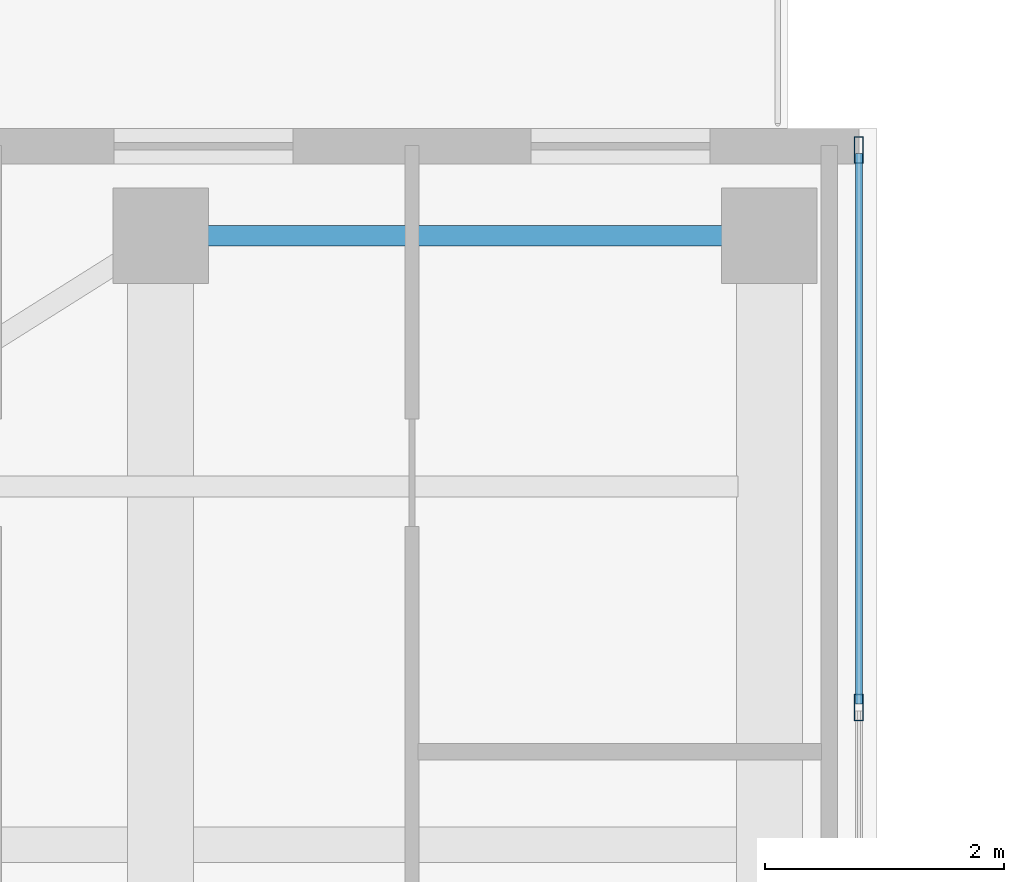
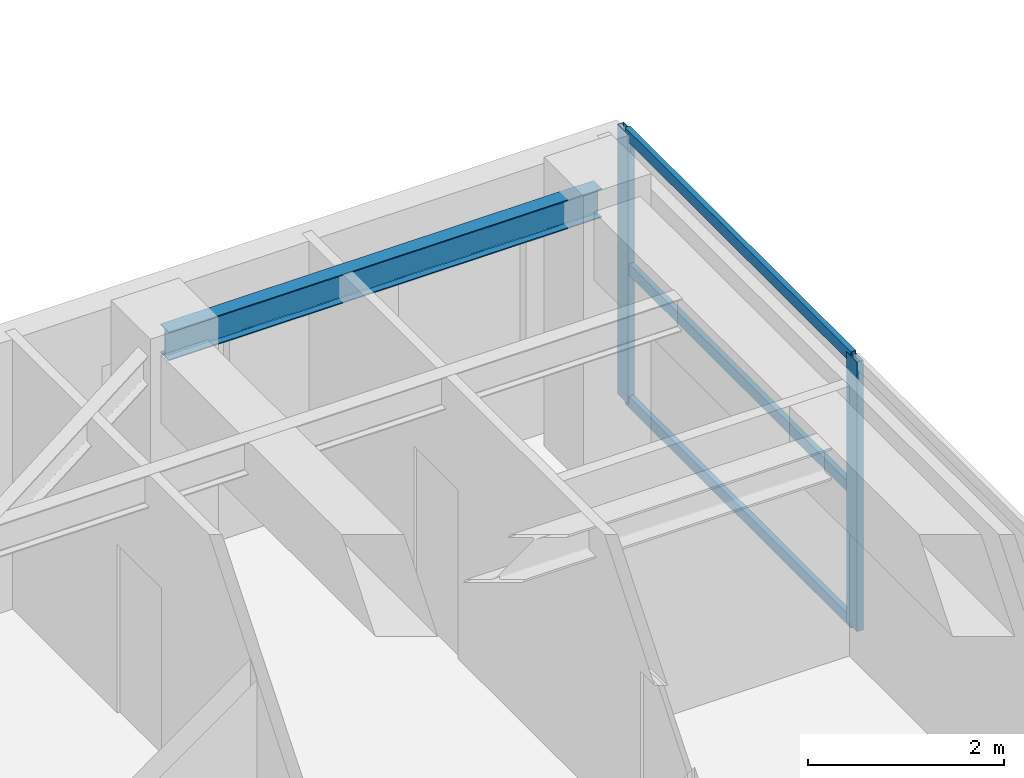
# One storey, part 14 of 22: 5 members, 1 beam, 1 element without a shape of its own.
"""IFC4 building model written with IfcOpenShell, lengths in metres."""

from ifc_helpers import new_model, si_unit, direction, frame, origin, origin_2d, place, context, subcontext, project, spatial, hollow_rectangle, i_section, extrude, source, transform, mapped, material, layer, layer_set, material_profile, profile_set, type_object, element, aggregate, save


model = new_model("IFC4")

# Units and contexts
model_context = context("Model", 3, precision=1e-05, world=origin(), true_north=direction((0.0, 1.0)))
body_context = subcontext(model_context, "Body", "Model", "MODEL_VIEW")
ifc_project = project(units=[si_unit("LENGTHUNIT", "METRE"), si_unit("AREAUNIT", "SQUARE_METRE"), si_unit("VOLUMEUNIT", "CUBIC_METRE"), si_unit("PLANEANGLEUNIT", "RADIAN"), si_unit("MASSUNIT", "GRAM", prefix="KILO")], contexts=[model_context])

# Site, building, storey
site_placement = place(None, origin())
site = spatial("IfcSite", under=ifc_project, at=site_placement, CompositionType="ELEMENT")
building_placement = place(site_placement, origin())
building = spatial("IfcBuilding", under=site, at=building_placement, Name="Khoralis Quay Care Tower", CompositionType="ELEMENT")
storey_placement = place(building_placement, frame((0.0, 0.0, 260.10009765625)))
storey = spatial("IfcBuildingStorey", under=building, at=storey_placement, Name="L68", CompositionType="ELEMENT", Elevation=260.10009765625)

# Beam
ifc_material_1 = material(Name="Steel S355", Category="steel")
ifc_material_profile_1 = material_profile(ifc_material_1, i_section(OverallWidth=0.169921875, OverallDepth=0.360107421875, WebThickness=0.008056640625, FlangeThickness=0.0126953125, FilletRadius=0.01806640625, at=origin_2d()), Name="Steel S355")
ifc_profile_set_1 = profile_set([ifc_material_profile_1], Name="Steel S355")
beam_type = type_object("IfcBeamType", Name="BM-IPE360", PredefinedType="SPANDREL", material=ifc_profile_set_1)
shared_shape_1 = source(origin(), body_context, "Body", "SweptSolid", [
    extrude(i_section(OverallWidth=0.169921875, OverallDepth=0.360107421875, WebThickness=0.008056640625, FlangeThickness=0.0126953125, FilletRadius=0.01806640625, at=origin_2d()), origin(), (0.0, 0.0, 1.0), 5.10009765625),
])
beam_placement = place(storey_placement, frame((12.0, 41.10009765625, 3.179931640625), z_axis=(1.0, 0.0, 0.0), x_axis=(0.0, 1.0, 0.0)))
element("IfcBeam", 1, at=beam_placement, inside=storey, type_object=beam_type, Name="BM-TSP-L68-03", PredefinedType="SPANDREL", context=body_context, shape_type="MappedRepresentation", body=[
    mapped(shared_shape_1, transform((0.0, 0.0, 0.0), scale=1.0)),
])

# Curtain wall, members
ifc_material_2 = material(Name="Pale anodised aluminium", Category="aluminium")
ifc_layer = layer(ifc_material_2, 0.18994140625)
ifc_layer_set = layer_set([ifc_layer], Name="Pale anodised aluminium")
curtain_wall_type = type_object("IfcCurtainWallType", Name="CW-SYS-PORTAL", PredefinedType="NOTDEFINED", material=ifc_layer_set)
curtain_wall_placement = place(storey_placement, origin())
curtain_wall = element("IfcCurtainWall", 2, at=curtain_wall_placement, inside=storey, type_object=curtain_wall_type, Name="L68 Unitised Curtain Wall CW-VP-L68-P1-N", PredefinedType="NOTDEFINED")
ifc_material_profile_2 = material_profile(ifc_material_2, hollow_rectangle(XDim=0.06005859375, YDim=0.139892578125, WallThickness=0.00390625, at=origin_2d()), Name="Pale anodised aluminium")
ifc_profile_set_2 = profile_set([ifc_material_profile_2], Name="Pale anodised aluminium")
member_type_1 = type_object("IfcMemberType", Name="CW-TRN-140", PredefinedType="USERDEFINED", material=ifc_profile_set_2)
shared_shape_2 = source(origin(), body_context, "Body", "SweptSolid", [
    extrude(hollow_rectangle(XDim=0.06005859375, YDim=0.139892578125, WallThickness=0.00390625, at=origin_2d()), origin(), (0.0, 0.0, 1.0), 4.610107421875),
])
member_1_placement = place(storey_placement, frame((17.85009765625, 37.179931640625, 0.02978515625), z_axis=(0.0, 1.0, 0.0), x_axis=(-1.0, 0.0, 0.0)))
member_1 = element("IfcMember", 3, at=member_1_placement, type_object=member_type_1, Name="CW4 transom 3.1", ObjectType="TRANSOM", PredefinedType="USERDEFINED", context=body_context, shape_type="MappedRepresentation", body=[
    mapped(shared_shape_2, transform((0.0, 0.0, 0.0), scale=1.0)),
])
member_2_placement = place(storey_placement, frame((17.85009765625, 37.179931640625, 1.679931640625), z_axis=(0.0, 1.0, 0.0), x_axis=(-1.0, 0.0, 0.0)))
member_2 = element("IfcMember", 4, at=member_2_placement, type_object=member_type_1, Name="CW4 transom 3.2", ObjectType="TRANSOM", PredefinedType="USERDEFINED", context=body_context, shape_type="MappedRepresentation", body=[
    mapped(shared_shape_2, transform((0.0, 0.0, 0.0), scale=1.0)),
])
member_3_placement = place(storey_placement, frame((17.85009765625, 37.179931640625, 3.329833984375), z_axis=(0.0, 1.0, 0.0), x_axis=(-1.0, 0.0, 0.0)))
member_3 = element("IfcMember", 5, at=member_3_placement, type_object=member_type_1, Name="CW4 transom 3.3", ObjectType="TRANSOM", PredefinedType="USERDEFINED", context=body_context, shape_type="MappedRepresentation", body=[
    mapped(shared_shape_2, transform((0.0, 0.0, 0.0), scale=1.0)),
])
ifc_material_profile_3 = material_profile(ifc_material_2, hollow_rectangle(XDim=0.074951171875, YDim=0.219970703125, WallThickness=0.00390625, at=origin_2d()), Name="Pale anodised aluminium")
ifc_profile_set_3 = profile_set([ifc_material_profile_3], Name="Pale anodised aluminium")
member_type_2 = type_object("IfcMemberType", Name="CW-MUL-220", PredefinedType="MULLION", material=ifc_profile_set_3)
shared_shape_3 = source(origin(), body_context, "Body", "SweptSolid", [
    extrude(hollow_rectangle(XDim=0.074951171875, YDim=0.219970703125, WallThickness=0.00390625, at=origin_2d()), origin(), (0.0, 0.0, 1.0), 3.35986328125),
])
member_4_placement = place(storey_placement, frame((17.85009765625, 37.14990234375, 0.0), z_axis=(0.0, 0.0, 1.0), x_axis=(-1.0, 0.0, 0.0)))
member_4 = element("IfcMember", 6, at=member_4_placement, type_object=member_type_2, Name="CW4 mullion 3", PredefinedType="MULLION", context=body_context, shape_type="MappedRepresentation", body=[
    mapped(shared_shape_3, transform((0.0, 0.0, 0.0), scale=1.0)),
])
member_5_placement = place(storey_placement, frame((17.85009765625, 41.820068359375, 0.0), z_axis=(0.0, 0.0, 1.0), x_axis=(-1.0, 0.0, 0.0)))
member_5 = element("IfcMember", 7, at=member_5_placement, type_object=member_type_2, Name="CW4 mullion 4", PredefinedType="MULLION", context=body_context, shape_type="MappedRepresentation", body=[
    mapped(shared_shape_3, transform((0.0, 0.0, 0.0), scale=1.0)),
])
aggregate(curtain_wall, [member_4, member_5, member_1, member_2, member_3])

save(model, "model.ifc")
